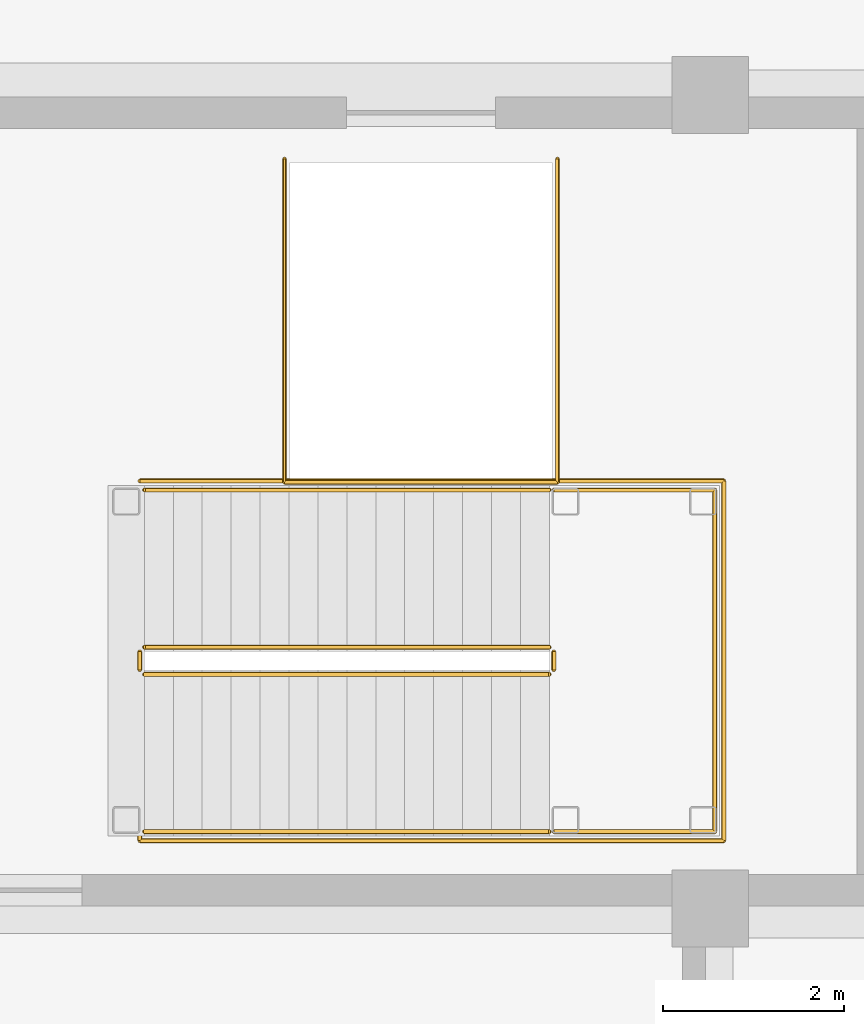
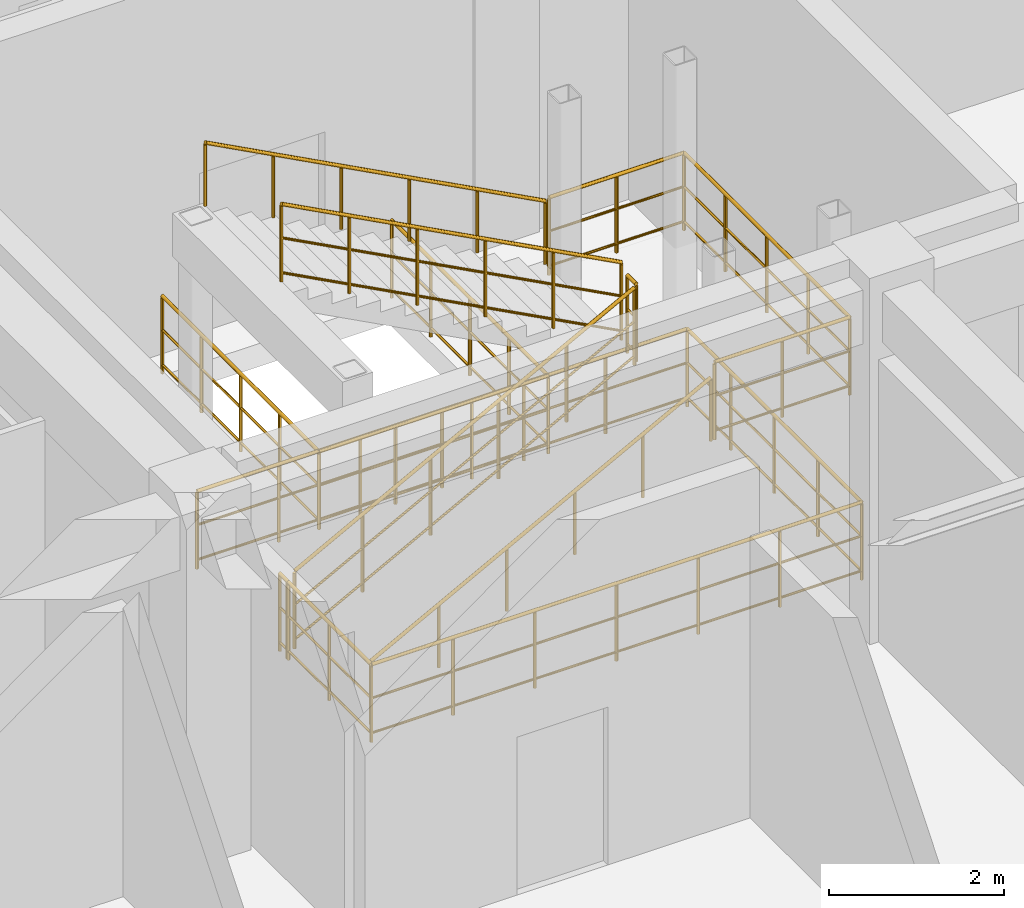
# One storey, part 121 of 128: 9 railings.
"""IFC4 building model written with IfcOpenShell, lengths in metres."""

from ifc_helpers import new_model, si_unit, direction, frame, origin, origin_2d, place, context, subcontext, project, spatial, circle, extrude, material, type_object, element, save


model = new_model("IFC4")

# Units and contexts
model_context = context("Model", 3, precision=1e-05, world=origin(), true_north=direction((0.0, 1.0)))
body_context = subcontext(model_context, "Body", "Model", "MODEL_VIEW")
ifc_project = project(units=[si_unit("LENGTHUNIT", "METRE"), si_unit("AREAUNIT", "SQUARE_METRE"), si_unit("VOLUMEUNIT", "CUBIC_METRE"), si_unit("PLANEANGLEUNIT", "RADIAN"), si_unit("MASSUNIT", "GRAM", prefix="KILO")], contexts=[model_context])

# Site, building, storey
site_placement = place(None, origin())
site = spatial("IfcSite", under=ifc_project, at=site_placement, CompositionType="ELEMENT")
building_placement = place(site_placement, origin())
building = spatial("IfcBuilding", under=site, at=building_placement, Name="Miravela Opera House", CompositionType="ELEMENT")
storey_placement = place(building_placement, origin())
storey = spatial("IfcBuildingStorey", under=building, at=storey_placement, Name="L00", CompositionType="ELEMENT", Elevation=0.0)

# Railings
ifc_material_1 = material(Name="Brushed bronze continuous stair handrail")
railing_type_1 = type_object("IfcRailingType", Name="ARC-RAIL-HAND-900", PredefinedType="HANDRAIL", material=ifc_material_1)
railing_1_placement = place(storey_placement, frame((110.739990234375, 37.85009765625, 0.169921875)))
element("IfcRailing", 1, at=railing_1_placement, inside=storey, type_object=railing_type_1, Name="L00 ST-04 stair handrail 1", PredefinedType="HANDRAIL", context=body_context, shape_type="SweptSolid", body=[
    extrude(circle(Radius=0.02392578125, at=origin_2d()), frame((0.0, 0.0, 0.8759765625), z_axis=(0.883104503341, 0.0, 0.469176338042), x_axis=(0.0, 1.0, 0.0)), (0.0, 0.0, 1.0), 5.072998046875),
    extrude(circle(Radius=0.02099609375, at=origin_2d()), origin(), (0.0, 0.0, 1.0), 0.851806640625),
    extrude(circle(Radius=0.02099609375, at=origin_2d()), frame((0.89599609375, 0.0, 0.47607421875)), (0.0, 0.0, 1.0), 0.851806640625),
    extrude(circle(Radius=0.02099609375, at=origin_2d()), frame((1.7919921875, 0.0, 0.9521484375)), (0.0, 0.0, 1.0), 0.851806640625),
    extrude(circle(Radius=0.02099609375, at=origin_2d()), frame((2.68798828125, 0.0, 1.427978515625)), (0.0, 0.0, 1.0), 0.851806640625),
    extrude(circle(Radius=0.02099609375, at=origin_2d()), frame((3.583984375, 0.0, 1.904052734375)), (0.0, 0.0, 1.0), 0.851806640625),
    extrude(circle(Radius=0.02099609375, at=origin_2d()), frame((4.47998046875, 0.0, 2.380126953125)), (0.0, 0.0, 1.0), 0.851806640625),
])
railing_2_placement = place(storey_placement, frame((115.219970703125, 41.6298828125, 2.719970703125)))
element("IfcRailing", 2, at=railing_2_placement, inside=storey, type_object=railing_type_1, Name="L00 ST-04 stair handrail 2", PredefinedType="HANDRAIL", context=body_context, shape_type="SweptSolid", body=[
    extrude(circle(Radius=0.02392578125, at=origin_2d()), frame((0.0, 0.0, 0.8759765625), z_axis=(-0.883104503341, 0.0, 0.469176338042), x_axis=(0.0, -1.0, 0.0)), (0.0, 0.0, 1.0), 5.072998046875),
    extrude(circle(Radius=0.02099609375, at=origin_2d()), origin(), (0.0, 0.0, 1.0), 0.851806640625),
    extrude(circle(Radius=0.02099609375, at=origin_2d()), frame((-0.89599609375, 0.0, 0.47607421875)), (0.0, 0.0, 1.0), 0.851806640625),
    extrude(circle(Radius=0.02099609375, at=origin_2d()), frame((-1.7919921875, 0.0, 0.9521484375)), (0.0, 0.0, 1.0), 0.851806640625),
    extrude(circle(Radius=0.02099609375, at=origin_2d()), frame((-2.68798828125, 0.0, 1.427978515625)), (0.0, 0.0, 1.0), 0.851806640625),
    extrude(circle(Radius=0.02099609375, at=origin_2d()), frame((-3.583984375, 0.0, 1.904052734375)), (0.0, 0.0, 1.0), 0.851806640625),
    extrude(circle(Radius=0.02099609375, at=origin_2d()), frame((-4.47998046875, 0.0, 2.380126953125)), (0.0, 0.0, 1.0), 0.851806640625),
])
ifc_material_2 = material(Name="Painted wrought-iron stair guardrail")
railing_type_2 = type_object("IfcRailingType", Name="ARC-RAIL-STAIR-GUARD", PredefinedType="GUARDRAIL", material=ifc_material_2)
railing_3_placement = place(storey_placement, frame((110.739990234375, 39.590087890625, 0.169921875)))
element("IfcRailing", 3, at=railing_3_placement, inside=storey, type_object=railing_type_2, Name="L00 ST-04 stair guard 1", PredefinedType="GUARDRAIL", context=body_context, shape_type="SweptSolid", body=[
    extrude(circle(Radius=0.02392578125, at=origin_2d()), frame((0.0, 0.0, 1.076171875), z_axis=(0.883104503341, 0.0, 0.469176338042), x_axis=(0.0, 1.0, 0.0)), (0.0, 0.0, 1.0), 5.072998046875),
    extrude(circle(Radius=0.01611328125, at=origin_2d()), frame((0.0, 0.0, 0.60498046875), z_axis=(0.883104503341, 0.0, 0.469176338042), x_axis=(0.0, 1.0, 0.0)), (0.0, 0.0, 1.0), 5.072998046875),
    extrude(circle(Radius=0.01611328125, at=origin_2d()), frame((0.0, 0.0, 0.1201171875), z_axis=(0.883104503341, 0.0, 0.469176338042), x_axis=(0.0, 1.0, 0.0)), (0.0, 0.0, 1.0), 5.072998046875),
    extrude(circle(Radius=0.02099609375, at=origin_2d()), origin(), (0.0, 0.0, 1.0), 1.052001953125),
    extrude(circle(Radius=0.02099609375, at=origin_2d()), frame((0.89599609375, 0.0, 0.47607421875)), (0.0, 0.0, 1.0), 1.052001953125),
    extrude(circle(Radius=0.02099609375, at=origin_2d()), frame((1.7919921875, 0.0, 0.9521484375)), (0.0, 0.0, 1.0), 1.052001953125),
    extrude(circle(Radius=0.02099609375, at=origin_2d()), frame((2.68798828125, 0.0, 1.427978515625)), (0.0, 0.0, 1.0), 1.052001953125),
    extrude(circle(Radius=0.02099609375, at=origin_2d()), frame((3.583984375, 0.0, 1.904052734375)), (0.0, 0.0, 1.0), 1.052001953125),
    extrude(circle(Radius=0.02099609375, at=origin_2d()), frame((4.47998046875, 0.0, 2.380126953125)), (0.0, 0.0, 1.0), 1.052001953125),
])
railing_4_placement = place(storey_placement, frame((115.27001953125, 39.639892578125, 2.550048828125)))
element("IfcRailing", 4, at=railing_4_placement, inside=storey, type_object=railing_type_2, Name="L00 ST-04 stair guard 2", PredefinedType="GUARDRAIL", context=body_context, shape_type="SweptSolid", body=[
    extrude(circle(Radius=0.02392578125, at=origin_2d()), frame((0.0, 0.0, 1.076171875), z_axis=(0.0, 1.0, 0.0), x_axis=(-1.0, 0.0, 0.0)), (0.0, 0.0, 1.0), 0.2001953125),
    extrude(circle(Radius=0.01611328125, at=origin_2d()), frame((0.0, 0.0, 0.60498046875), z_axis=(0.0, 1.0, 0.0), x_axis=(-1.0, 0.0, 0.0)), (0.0, 0.0, 1.0), 0.2001953125),
    extrude(circle(Radius=0.01611328125, at=origin_2d()), frame((0.0, 0.0, 0.1201171875), z_axis=(0.0, 1.0, 0.0), x_axis=(-1.0, 0.0, 0.0)), (0.0, 0.0, 1.0), 0.2001953125),
    extrude(circle(Radius=0.02099609375, at=origin_2d()), origin(), (0.0, 0.0, 1.0), 1.052001953125),
    extrude(circle(Radius=0.02099609375, at=origin_2d()), frame((0.0, 0.2001953125, 0.0)), (0.0, 0.0, 1.0), 1.052001953125),
])
railing_5_placement = place(storey_placement, frame((115.219970703125, 39.889892578125, 2.719970703125)))
element("IfcRailing", 5, at=railing_5_placement, inside=storey, type_object=railing_type_2, Name="L00 ST-04 stair guard 3", PredefinedType="GUARDRAIL", context=body_context, shape_type="SweptSolid", body=[
    extrude(circle(Radius=0.02392578125, at=origin_2d()), frame((0.0, 0.0, 1.076171875), z_axis=(-0.883104503341, 0.0, 0.469176338042), x_axis=(0.0, -1.0, 0.0)), (0.0, 0.0, 1.0), 5.072998046875),
    extrude(circle(Radius=0.01611328125, at=origin_2d()), frame((0.0, 0.0, 0.60498046875), z_axis=(-0.883104503341, 0.0, 0.469176338042), x_axis=(0.0, -1.0, 0.0)), (0.0, 0.0, 1.0), 5.072998046875),
    extrude(circle(Radius=0.01611328125, at=origin_2d()), frame((0.0, 0.0, 0.1201171875), z_axis=(-0.883104503341, 0.0, 0.469176338042), x_axis=(0.0, -1.0, 0.0)), (0.0, 0.0, 1.0), 5.072998046875),
    extrude(circle(Radius=0.02099609375, at=origin_2d()), origin(), (0.0, 0.0, 1.0), 1.052001953125),
    extrude(circle(Radius=0.02099609375, at=origin_2d()), frame((-0.89599609375, 0.0, 0.47607421875)), (0.0, 0.0, 1.0), 1.052001953125),
    extrude(circle(Radius=0.02099609375, at=origin_2d()), frame((-1.7919921875, 0.0, 0.9521484375)), (0.0, 0.0, 1.0), 1.052001953125),
    extrude(circle(Radius=0.02099609375, at=origin_2d()), frame((-2.68798828125, 0.0, 1.427978515625)), (0.0, 0.0, 1.0), 1.052001953125),
    extrude(circle(Radius=0.02099609375, at=origin_2d()), frame((-3.583984375, 0.0, 1.904052734375)), (0.0, 0.0, 1.0), 1.052001953125),
    extrude(circle(Radius=0.02099609375, at=origin_2d()), frame((-4.47998046875, 0.0, 2.380126953125)), (0.0, 0.0, 1.0), 1.052001953125),
])
railing_6_placement = place(storey_placement, frame((110.68994140625, 39.639892578125, 0.0)))
element("IfcRailing", 6, at=railing_6_placement, inside=storey, type_object=railing_type_2, Name="L00 ST-04 stair guard 4", PredefinedType="GUARDRAIL", context=body_context, shape_type="SweptSolid", body=[
    extrude(circle(Radius=0.02392578125, at=origin_2d()), frame((0.0, 0.0, 1.076171875), z_axis=(0.0, 1.0, 0.0), x_axis=(-1.0, 0.0, 0.0)), (0.0, 0.0, 1.0), 0.2001953125),
    extrude(circle(Radius=0.01611328125, at=origin_2d()), frame((0.0, 0.0, 0.60498046875), z_axis=(0.0, 1.0, 0.0), x_axis=(-1.0, 0.0, 0.0)), (0.0, 0.0, 1.0), 0.2001953125),
    extrude(circle(Radius=0.01611328125, at=origin_2d()), frame((0.0, 0.0, 0.1201171875), z_axis=(0.0, 1.0, 0.0), x_axis=(-1.0, 0.0, 0.0)), (0.0, 0.0, 1.0), 0.2001953125),
    extrude(circle(Radius=0.02099609375, at=origin_2d()), origin(), (0.0, 0.0, 1.0), 1.052001953125),
    extrude(circle(Radius=0.02099609375, at=origin_2d()), frame((0.0, 0.2001953125, 0.0)), (0.0, 0.0, 1.0), 1.052001953125),
])
railing_7_placement = place(storey_placement, frame((115.27001953125, 37.85009765625, 2.550048828125)))
element("IfcRailing", 7, at=railing_7_placement, inside=storey, type_object=railing_type_2, Name="Stair ST-04 Half-Landing Perimeter Guard (L00) 0038", PredefinedType="GUARDRAIL", context=body_context, shape_type="SweptSolid", body=[
    extrude(circle(Radius=0.02392578125, at=origin_2d()), frame((0.0, 0.0, 1.076171875), z_axis=(1.0, 0.0, 0.0), x_axis=(0.0, 1.0, 0.0)), (0.0, 0.0, 1.0), 1.780029296875),
    extrude(circle(Radius=0.01611328125, at=origin_2d()), frame((0.0, 0.0, 0.60498046875), z_axis=(1.0, 0.0, 0.0), x_axis=(0.0, 1.0, 0.0)), (0.0, 0.0, 1.0), 1.780029296875),
    extrude(circle(Radius=0.01611328125, at=origin_2d()), frame((0.0, 0.0, 0.1201171875), z_axis=(1.0, 0.0, 0.0), x_axis=(0.0, 1.0, 0.0)), (0.0, 0.0, 1.0), 1.780029296875),
    extrude(circle(Radius=0.02392578125, at=origin_2d()), frame((1.780029296875, 0.0, 1.076171875), z_axis=(0.0, 1.0, 0.0), x_axis=(-1.0, 0.0, 0.0)), (0.0, 0.0, 1.0), 3.77978515625),
    extrude(circle(Radius=0.01611328125, at=origin_2d()), frame((1.780029296875, 0.0, 0.60498046875), z_axis=(0.0, 1.0, 0.0), x_axis=(-1.0, 0.0, 0.0)), (0.0, 0.0, 1.0), 3.77978515625),
    extrude(circle(Radius=0.01611328125, at=origin_2d()), frame((1.780029296875, 0.0, 0.1201171875), z_axis=(0.0, 1.0, 0.0), x_axis=(-1.0, 0.0, 0.0)), (0.0, 0.0, 1.0), 3.77978515625),
    extrude(circle(Radius=0.02392578125, at=origin_2d()), frame((1.780029296875, 3.77978515625, 1.076171875), z_axis=(-1.0, 0.0, 0.0), x_axis=(0.0, -1.0, 0.0)), (0.0, 0.0, 1.0), 1.780029296875),
    extrude(circle(Radius=0.01611328125, at=origin_2d()), frame((1.780029296875, 3.77978515625, 0.60498046875), z_axis=(-1.0, 0.0, 0.0), x_axis=(0.0, -1.0, 0.0)), (0.0, 0.0, 1.0), 1.780029296875),
    extrude(circle(Radius=0.01611328125, at=origin_2d()), frame((1.780029296875, 3.77978515625, 0.1201171875), z_axis=(-1.0, 0.0, 0.0), x_axis=(0.0, -1.0, 0.0)), (0.0, 0.0, 1.0), 1.780029296875),
    extrude(circle(Radius=0.02099609375, at=origin_2d()), origin(), (0.0, 0.0, 1.0), 1.052001953125),
    extrude(circle(Radius=0.02099609375, at=origin_2d()), frame((0.89013671875, 0.0, 0.0)), (0.0, 0.0, 1.0), 1.052001953125),
    extrude(circle(Radius=0.02099609375, at=origin_2d()), frame((1.780029296875, 0.0, 0.0)), (0.0, 0.0, 1.0), 1.052001953125),
    extrude(circle(Radius=0.02099609375, at=origin_2d()), frame((1.780029296875, 0.94482421875, 0.0)), (0.0, 0.0, 1.0), 1.052001953125),
    extrude(circle(Radius=0.02099609375, at=origin_2d()), frame((1.780029296875, 1.889892578125, 0.0)), (0.0, 0.0, 1.0), 1.052001953125),
    extrude(circle(Radius=0.02099609375, at=origin_2d()), frame((1.780029296875, 2.8349609375, 0.0)), (0.0, 0.0, 1.0), 1.052001953125),
    extrude(circle(Radius=0.02099609375, at=origin_2d()), frame((1.780029296875, 3.77978515625, 0.0)), (0.0, 0.0, 1.0), 1.052001953125),
    extrude(circle(Radius=0.02099609375, at=origin_2d()), frame((0.89013671875, 3.77978515625, 0.0)), (0.0, 0.0, 1.0), 1.052001953125),
    extrude(circle(Radius=0.02099609375, at=origin_2d()), frame((0.0, 3.77978515625, 0.0)), (0.0, 0.0, 1.0), 1.052001953125),
])
railing_8_placement = place(storey_placement, frame((110.68994140625, 39.669921875, 0.0)))
element("IfcRailing", 8, at=railing_8_placement, inside=storey, type_object=railing_type_2, Name="Stair ST-04 Well Slab Opening Guard (L00) 0043", PredefinedType="GUARDRAIL", context=body_context, shape_type="SweptSolid", body=[
    extrude(circle(Radius=0.02392578125, at=origin_2d()), frame((0.0, 0.0, 1.076171875), z_axis=(0.0, -1.0, 0.0), x_axis=(1.0, 0.0, 0.0)), (0.0, 0.0, 1.0), 1.919921875),
    extrude(circle(Radius=0.01611328125, at=origin_2d()), frame((0.0, 0.0, 0.60498046875), z_axis=(0.0, -1.0, 0.0), x_axis=(1.0, 0.0, 0.0)), (0.0, 0.0, 1.0), 1.919921875),
    extrude(circle(Radius=0.01611328125, at=origin_2d()), frame((0.0, 0.0, 0.1201171875), z_axis=(0.0, -1.0, 0.0), x_axis=(1.0, 0.0, 0.0)), (0.0, 0.0, 1.0), 1.919921875),
    extrude(circle(Radius=0.02392578125, at=origin_2d()), frame((0.0, -1.919921875, 1.076171875), z_axis=(1.0, 0.0, 0.0), x_axis=(0.0, 1.0, 0.0)), (0.0, 0.0, 1.0), 6.4599609375),
    extrude(circle(Radius=0.01611328125, at=origin_2d()), frame((0.0, -1.919921875, 0.60498046875), z_axis=(1.0, 0.0, 0.0), x_axis=(0.0, 1.0, 0.0)), (0.0, 0.0, 1.0), 6.4599609375),
    extrude(circle(Radius=0.01611328125, at=origin_2d()), frame((0.0, -1.919921875, 0.1201171875), z_axis=(1.0, 0.0, 0.0), x_axis=(0.0, 1.0, 0.0)), (0.0, 0.0, 1.0), 6.4599609375),
    extrude(circle(Radius=0.02392578125, at=origin_2d()), frame((6.4599609375, -1.919921875, 1.076171875), z_axis=(0.0, 1.0, 0.0), x_axis=(-1.0, 0.0, 0.0)), (0.0, 0.0, 1.0), 3.97998046875),
    extrude(circle(Radius=0.01611328125, at=origin_2d()), frame((6.4599609375, -1.919921875, 0.60498046875), z_axis=(0.0, 1.0, 0.0), x_axis=(-1.0, 0.0, 0.0)), (0.0, 0.0, 1.0), 3.97998046875),
    extrude(circle(Radius=0.01611328125, at=origin_2d()), frame((6.4599609375, -1.919921875, 0.1201171875), z_axis=(0.0, 1.0, 0.0), x_axis=(-1.0, 0.0, 0.0)), (0.0, 0.0, 1.0), 3.97998046875),
    extrude(circle(Radius=0.02392578125, at=origin_2d()), frame((6.4599609375, 2.06005859375, 1.076171875), z_axis=(-1.0, 0.0, 0.0), x_axis=(0.0, -1.0, 0.0)), (0.0, 0.0, 1.0), 6.4599609375),
    extrude(circle(Radius=0.01611328125, at=origin_2d()), frame((6.4599609375, 2.06005859375, 0.60498046875), z_axis=(-1.0, 0.0, 0.0), x_axis=(0.0, -1.0, 0.0)), (0.0, 0.0, 1.0), 6.4599609375),
    extrude(circle(Radius=0.01611328125, at=origin_2d()), frame((6.4599609375, 2.06005859375, 0.1201171875), z_axis=(-1.0, 0.0, 0.0), x_axis=(0.0, -1.0, 0.0)), (0.0, 0.0, 1.0), 6.4599609375),
    extrude(circle(Radius=0.02099609375, at=origin_2d()), origin(), (0.0, 0.0, 1.0), 1.052001953125),
    extrude(circle(Radius=0.02099609375, at=origin_2d()), frame((0.0, -0.9599609375, 0.0)), (0.0, 0.0, 1.0), 1.052001953125),
    extrude(circle(Radius=0.02099609375, at=origin_2d()), frame((0.0, -1.919921875, 0.0)), (0.0, 0.0, 1.0), 1.052001953125),
    extrude(circle(Radius=0.02099609375, at=origin_2d()), frame((1.07666015625, -1.919921875, 0.0)), (0.0, 0.0, 1.0), 1.052001953125),
    extrude(circle(Radius=0.02099609375, at=origin_2d()), frame((2.1533203125, -1.919921875, 0.0)), (0.0, 0.0, 1.0), 1.052001953125),
    extrude(circle(Radius=0.02099609375, at=origin_2d()), frame((3.22998046875, -1.919921875, 0.0)), (0.0, 0.0, 1.0), 1.052001953125),
    extrude(circle(Radius=0.02099609375, at=origin_2d()), frame((4.306640625, -1.919921875, 0.0)), (0.0, 0.0, 1.0), 1.052001953125),
    extrude(circle(Radius=0.02099609375, at=origin_2d()), frame((5.38330078125, -1.919921875, 0.0)), (0.0, 0.0, 1.0), 1.052001953125),
    extrude(circle(Radius=0.02099609375, at=origin_2d()), frame((6.4599609375, -1.919921875, 0.0)), (0.0, 0.0, 1.0), 1.052001953125),
    extrude(circle(Radius=0.02099609375, at=origin_2d()), frame((6.4599609375, -0.9248046875, 0.0)), (0.0, 0.0, 1.0), 1.052001953125),
    extrude(circle(Radius=0.02099609375, at=origin_2d()), frame((6.4599609375, 0.070068359375, 0.0)), (0.0, 0.0, 1.0), 1.052001953125),
    extrude(circle(Radius=0.02099609375, at=origin_2d()), frame((6.4599609375, 1.06494140625, 0.0)), (0.0, 0.0, 1.0), 1.052001953125),
    extrude(circle(Radius=0.02099609375, at=origin_2d()), frame((6.4599609375, 2.06005859375, 0.0)), (0.0, 0.0, 1.0), 1.052001953125),
    extrude(circle(Radius=0.02099609375, at=origin_2d()), frame((5.38330078125, 2.06005859375, 0.0)), (0.0, 0.0, 1.0), 1.052001953125),
    extrude(circle(Radius=0.02099609375, at=origin_2d()), frame((4.306640625, 2.06005859375, 0.0)), (0.0, 0.0, 1.0), 1.052001953125),
    extrude(circle(Radius=0.02099609375, at=origin_2d()), frame((3.22998046875, 2.06005859375, 0.0)), (0.0, 0.0, 1.0), 1.052001953125),
    extrude(circle(Radius=0.02099609375, at=origin_2d()), frame((2.1533203125, 2.06005859375, 0.0)), (0.0, 0.0, 1.0), 1.052001953125),
    extrude(circle(Radius=0.02099609375, at=origin_2d()), frame((1.07666015625, 2.06005859375, 0.0)), (0.0, 0.0, 1.0), 1.052001953125),
    extrude(circle(Radius=0.02099609375, at=origin_2d()), frame((0.0, 2.06005859375, 0.0)), (0.0, 0.0, 1.0), 1.052001953125),
])
railing_9_placement = place(storey_placement, frame((112.2900390625, 45.2900390625, 0.0)))
element("IfcRailing", 9, at=railing_9_placement, inside=storey, type_object=railing_type_2, Name="Lift FL-02 Hoistway Slab Opening Guard (L00) 0129", PredefinedType="GUARDRAIL", context=body_context, shape_type="SweptSolid", body=[
    extrude(circle(Radius=0.02392578125, at=origin_2d()), frame((0.0, 0.0, 1.076171875), z_axis=(0.0, -1.0, 0.0), x_axis=(1.0, 0.0, 0.0)), (0.0, 0.0, 1.0), 3.574951171875),
    extrude(circle(Radius=0.01611328125, at=origin_2d()), frame((0.0, 0.0, 0.60498046875), z_axis=(0.0, -1.0, 0.0), x_axis=(1.0, 0.0, 0.0)), (0.0, 0.0, 1.0), 3.574951171875),
    extrude(circle(Radius=0.01611328125, at=origin_2d()), frame((0.0, 0.0, 0.1201171875), z_axis=(0.0, -1.0, 0.0), x_axis=(1.0, 0.0, 0.0)), (0.0, 0.0, 1.0), 3.574951171875),
    extrude(circle(Radius=0.02392578125, at=origin_2d()), frame((0.0, -3.574951171875, 1.076171875), z_axis=(1.0, 0.0, 0.0), x_axis=(0.0, 1.0, 0.0)), (0.0, 0.0, 1.0), 3.02001953125),
    extrude(circle(Radius=0.01611328125, at=origin_2d()), frame((0.0, -3.574951171875, 0.60498046875), z_axis=(1.0, 0.0, 0.0), x_axis=(0.0, 1.0, 0.0)), (0.0, 0.0, 1.0), 3.02001953125),
    extrude(circle(Radius=0.01611328125, at=origin_2d()), frame((0.0, -3.574951171875, 0.1201171875), z_axis=(1.0, 0.0, 0.0), x_axis=(0.0, 1.0, 0.0)), (0.0, 0.0, 1.0), 3.02001953125),
    extrude(circle(Radius=0.02392578125, at=origin_2d()), frame((3.02001953125, -3.574951171875, 1.076171875), z_axis=(0.0, 1.0, 0.0), x_axis=(-1.0, 0.0, 0.0)), (0.0, 0.0, 1.0), 3.574951171875),
    extrude(circle(Radius=0.01611328125, at=origin_2d()), frame((3.02001953125, -3.574951171875, 0.60498046875), z_axis=(0.0, 1.0, 0.0), x_axis=(-1.0, 0.0, 0.0)), (0.0, 0.0, 1.0), 3.574951171875),
    extrude(circle(Radius=0.01611328125, at=origin_2d()), frame((3.02001953125, -3.574951171875, 0.1201171875), z_axis=(0.0, 1.0, 0.0), x_axis=(-1.0, 0.0, 0.0)), (0.0, 0.0, 1.0), 3.574951171875),
    extrude(circle(Radius=0.02099609375, at=origin_2d()), origin(), (0.0, 0.0, 1.0), 1.052001953125),
    extrude(circle(Radius=0.02099609375, at=origin_2d()), frame((0.0, -0.893798828125, 0.0)), (0.0, 0.0, 1.0), 1.052001953125),
    extrude(circle(Radius=0.02099609375, at=origin_2d()), frame((0.0, -1.78759765625, 0.0)), (0.0, 0.0, 1.0), 1.052001953125),
    extrude(circle(Radius=0.02099609375, at=origin_2d()), frame((0.0, -2.68115234375, 0.0)), (0.0, 0.0, 1.0), 1.052001953125),
    extrude(circle(Radius=0.02099609375, at=origin_2d()), frame((0.0, -3.574951171875, 0.0)), (0.0, 0.0, 1.0), 1.052001953125),
    extrude(circle(Radius=0.02099609375, at=origin_2d()), frame((1.006591796875, -3.574951171875, 0.0)), (0.0, 0.0, 1.0), 1.052001953125),
    extrude(circle(Radius=0.02099609375, at=origin_2d()), frame((2.013427734375, -3.574951171875, 0.0)), (0.0, 0.0, 1.0), 1.052001953125),
    extrude(circle(Radius=0.02099609375, at=origin_2d()), frame((3.02001953125, -3.574951171875, 0.0)), (0.0, 0.0, 1.0), 1.052001953125),
    extrude(circle(Radius=0.02099609375, at=origin_2d()), frame((3.02001953125, -2.68115234375, 0.0)), (0.0, 0.0, 1.0), 1.052001953125),
    extrude(circle(Radius=0.02099609375, at=origin_2d()), frame((3.02001953125, -1.78759765625, 0.0)), (0.0, 0.0, 1.0), 1.052001953125),
    extrude(circle(Radius=0.02099609375, at=origin_2d()), frame((3.02001953125, -0.893798828125, 0.0)), (0.0, 0.0, 1.0), 1.052001953125),
    extrude(circle(Radius=0.02099609375, at=origin_2d()), frame((3.02001953125, 0.0, 0.0)), (0.0, 0.0, 1.0), 1.052001953125),
])

save(model, "model.ifc")
